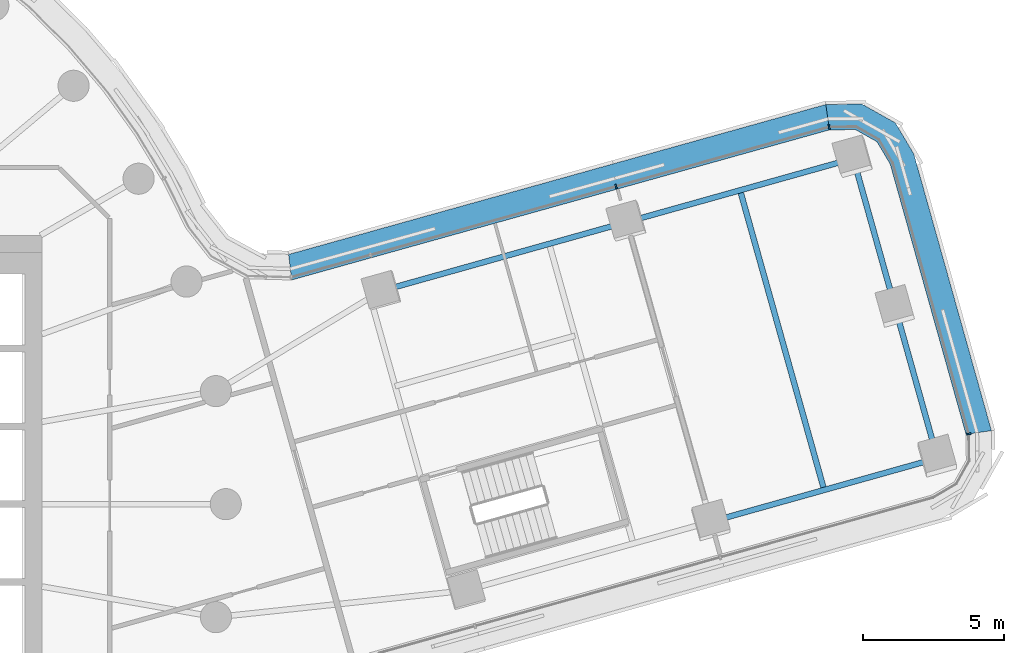
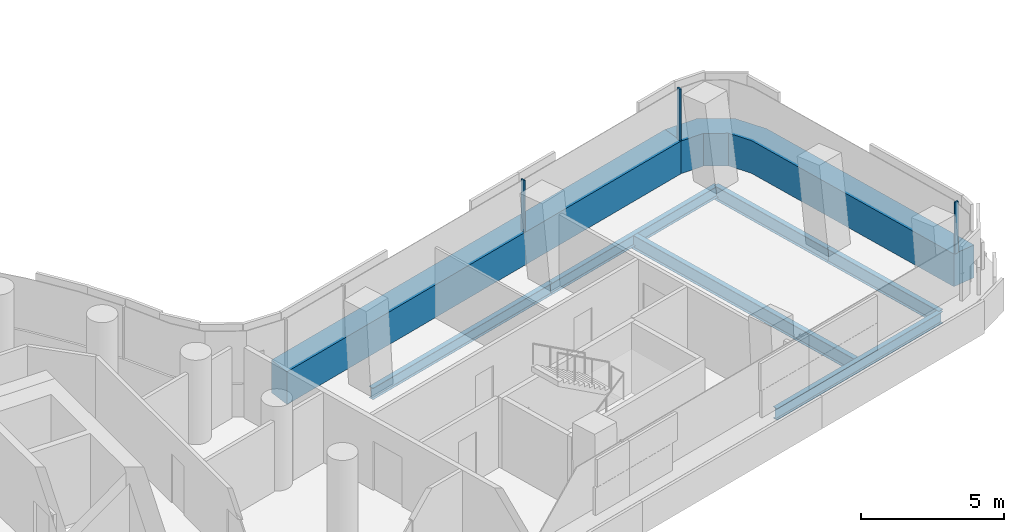
# One storey, part 12 of 30: 6 beams, 5 members, 2 elements without a shape of their own.
"""IFC4 building model written with IfcOpenShell, lengths in metres."""

from ifc_helpers import new_model, si_unit, direction, frame, origin, origin_2d, place, context, subcontext, project, spatial, polyline, rectangle, i_section, outline, extrude, material, layer, layer_set, material_profile, profile_set, type_object, element, aggregate, save


model = new_model("IFC4")

# Units and contexts
model_context = context("Model", 3, precision=1e-05, world=origin(), true_north=direction((0.0, 1.0)))
body_context = subcontext(model_context, "Body", "Model", "MODEL_VIEW")
ifc_project = project(units=[si_unit("LENGTHUNIT", "METRE"), si_unit("AREAUNIT", "SQUARE_METRE"), si_unit("VOLUMEUNIT", "CUBIC_METRE"), si_unit("PLANEANGLEUNIT", "RADIAN"), si_unit("MASSUNIT", "GRAM", prefix="KILO")], contexts=[model_context])

# Site, building, storey
site_placement = place(None, origin())
site = spatial("IfcSite", under=ifc_project, at=site_placement, CompositionType="ELEMENT")
building_placement = place(site_placement, origin())
building = spatial("IfcBuilding", under=site, at=building_placement, Name="Tamarind Cross Interchange Tower", CompositionType="ELEMENT")
storey_placement = place(building_placement, frame((0.0, 0.0, 91.0)))
storey = spatial("IfcBuildingStorey", under=building, at=storey_placement, Name="L21", CompositionType="ELEMENT", Elevation=91.0)

# Beams
ifc_material_1 = material(Name="Steel Q355B", Category="steel")
ifc_material_profile_1 = material_profile(ifc_material_1, i_section(OverallWidth=0.198974609375, OverallDepth=0.49609375, WebThickness=0.009033203125, FlangeThickness=0.013916015625, FilletRadius=0.012939453125, at=origin_2d()), Name="HN 496x199x9x14")
ifc_profile_set_1 = profile_set([ifc_material_profile_1], Name="Steel Q355B")
beam_type_1 = type_object("IfcBeamType", Name="Composite beam HN 496x199x9x14 Q355B", PredefinedType="BEAM", material=ifc_profile_set_1)
for number, where, z_axis, x_axis, name in (
    (1, (48.147216796875, 1.62353515625, -0.387939453125), (-0.962821761658, -0.270137474776, 0.0), (0.270137474776, -0.962821761658, 0.0), "Beam E-edgeem5"),
    (2, (45.17578125, 12.214599609375, -0.387939453125), (-0.962821761658, -0.270137474776, 0.0), (0.270137474776, -0.962821761658, 0.0), "Beam E-edgeep2"),
):
    element("IfcBeam", number, at=place(storey_placement, frame(where, z_axis=z_axis, x_axis=x_axis)), inside=storey, type_object=beam_type_1, Name=name, PredefinedType="BEAM", context=body_context, shape_type="SweptSolid", body=[
        extrude(i_section(OverallWidth=0.198974609375, OverallDepth=0.49609375, WebThickness=0.009033203125, FlangeThickness=0.013916015625, FilletRadius=0.012939453125, at=origin_2d()), origin(), (0.0, 0.0, 1.0), 8.313720703125),
    ])
beam_1_placement = place(storey_placement, frame((37.171142578125, 9.96875, -0.387939453125), z_axis=(-0.96282528208, -0.270124927, 0.0), x_axis=(0.270124927, -0.96282528208, 0.0)))
element("IfcBeam", 3, at=beam_1_placement, inside=storey, type_object=beam_type_1, Name="Beam E-edgeep3", PredefinedType="BEAM", context=body_context, shape_type="SweptSolid", body=[
    extrude(i_section(OverallWidth=0.198974609375, OverallDepth=0.49609375, WebThickness=0.009033203125, FlangeThickness=0.013916015625, FilletRadius=0.012939453125, at=origin_2d()), origin(), (0.0, 0.0, 1.0), 9.0),
])
ifc_material_profile_2 = material_profile(ifc_material_1, i_section(OverallWidth=0.199951171875, OverallDepth=0.60009765625, WebThickness=0.010986328125, FlangeThickness=0.01708984375, FilletRadius=0.012939453125, at=origin_2d()), Name="HN 600x200x11x17")
ifc_profile_set_2 = profile_set([ifc_material_profile_2], Name="Steel Q355B")
beam_type_2 = type_object("IfcBeamType", Name="Composite beam HN 600x200x11x17 Q355B", PredefinedType="BEAM", material=ifc_profile_set_2)
for number, where, z_axis, x_axis, name in (
    (4, (48.147216796875, 1.62353515625, -0.43994140625), (-0.270156767928, 0.962816348398, 0.0), (-0.962816348398, -0.270156767928, 0.0), "Beam E-tip0"),
    (5, (46.661376953125, 6.9189453125, -0.43994140625), (-0.270104072741, 0.962831132592, 0.0), (-0.962831132592, -0.270104072741, 0.0), "Beam E-tip1"),
):
    element("IfcBeam", number, at=place(storey_placement, frame(where, z_axis=z_axis, x_axis=x_axis)), inside=storey, type_object=beam_type_2, Name=name, PredefinedType="BEAM", context=body_context, shape_type="SweptSolid", body=[
        extrude(i_section(OverallWidth=0.199951171875, OverallDepth=0.60009765625, WebThickness=0.010986328125, FlangeThickness=0.01708984375, FilletRadius=0.012939453125, at=origin_2d()), origin(), (0.0, 0.0, 1.0), 5.5),
    ])
beam_2_placement = place(storey_placement, frame((44.144775390625, 0.50048828125, -0.43994140625), z_axis=(-0.27013042003, 0.962823740969, 0.0), x_axis=(-0.962823740969, -0.27013042003, 0.0)))
element("IfcBeam", 6, at=beam_2_placement, inside=storey, type_object=beam_type_2, Name="Beam E-x435", PredefinedType="BEAM", context=body_context, shape_type="SweptSolid", body=[
    extrude(i_section(OverallWidth=0.199951171875, OverallDepth=0.60009765625, WebThickness=0.010986328125, FlangeThickness=0.01708984375, FilletRadius=0.012939453125, at=origin_2d()), origin(), (0.0, 0.0, 1.0), 11.0),
])

# Curtain wall, member
ifc_material_2 = material(Name="Aluminium 6063-T6", Category="aluminium")
ifc_layer = layer(ifc_material_2, 0.159912109375)
ifc_layer_set = layer_set([ifc_layer], Name="Aluminium 6063-T6")
curtain_wall_type = type_object("IfcCurtainWallType", Name="Office curtain wall, 9.0 m bays", PredefinedType="NOTDEFINED", material=ifc_layer_set)
curtain_wall_1_placement = place(storey_placement, origin())
curtain_wall_1 = element("IfcCurtainWall", 7, at=curtain_wall_1_placement, inside=storey, type_object=curtain_wall_type, Name="CWS-L21-04", PredefinedType="NOTDEFINED")
ifc_material_3 = material(Name="Aluminium and insulated spandrel panel", Category="aluminium")
member_type_1 = type_object("IfcMemberType", Name="Floor-edge blade transom", PredefinedType="USERDEFINED", material=ifc_material_3)
member_1_placement = place(storey_placement, origin())
member_1 = element("IfcMember", 8, at=member_1_placement, type_object=member_type_1, Name="CWT-L21-04", ObjectType="TRANSOM", PredefinedType="USERDEFINED", context=body_context, shape_type="SweptSolid", body=[
    extrude(outline(polyline([(49.15673828125, 2.467041015625), (46.476806640625, 12.019287109375), (46.009765625, 12.806640625), (45.24755859375, 13.23486328125), (44.33203125, 13.22412109375), (44.20361328125, 14.122802734375), (45.47802734375, 14.1376953125), (46.660888671875, 13.47314453125), (47.311279296875, 12.37646484375), (50.055419921875, 2.59619140625), (49.15673828125, 2.467041015625)])), origin(), (0.0, 0.0, 1.0), 1.39990234375),
])

curtain_wall_2_placement = place(storey_placement, origin())
curtain_wall_2 = element("IfcCurtainWall", 9, at=curtain_wall_2_placement, inside=storey, type_object=curtain_wall_type, Name="CWS-L21-05", PredefinedType="NOTDEFINED")
member_2_placement = place(storey_placement, origin())
member_2 = element("IfcMember", 10, at=member_2_placement, type_object=member_type_1, Name="CWT-L21-05", ObjectType="TRANSOM", PredefinedType="USERDEFINED", context=body_context, shape_type="SweptSolid", body=[
    extrude(outline(polyline([(44.33203125, 13.22412109375), (25.32861328125, 7.920166015625), (25.218017578125, 8.82373046875), (44.20361328125, 14.122802734375), (44.33203125, 13.22412109375)])), origin(), (0.0, 0.0, 1.0), 1.39990234375),
])

# Member
ifc_material_profile_3 = material_profile(ifc_material_2, rectangle(XDim=0.06005859375, YDim=0.159912109375, at=origin_2d()), Name="Mullion CW1")
ifc_profile_set_3 = profile_set([ifc_material_profile_3], Name="Aluminium 6063-T6")
member_type_2 = type_object("IfcMemberType", Name="Mullion CW1", PredefinedType="MULLION", material=ifc_profile_set_3)
member_3_placement = place(storey_placement, frame((49.256591796875, 2.4814453125, 1.39990234375), z_axis=(0.0, 0.0, 1.0), x_axis=(-0.142145220779, 0.989845814362, 0.0)))
member_3 = element("IfcMember", 11, at=member_3_placement, type_object=member_type_2, Name="CWM-L21-04-00", PredefinedType="MULLION", context=body_context, shape_type="SweptSolid", body=[
    extrude(rectangle(XDim=0.06005859375, YDim=0.159912109375, at=origin_2d()), origin(), (0.0, 0.0, 1.0), 2.210205078125),
])

aggregate(curtain_wall_1, [member_3, member_1])

member_4_placement = place(storey_placement, frame((44.317626953125, 13.323974609375, 1.39990234375), z_axis=(0.0, 0.0, 1.0), x_axis=(-0.989941479785, -0.141477442021, 0.0)))
member_4 = element("IfcMember", 12, at=member_4_placement, type_object=member_type_2, Name="CWM-L21-05-00", PredefinedType="MULLION", context=body_context, shape_type="SweptSolid", body=[
    extrude(rectangle(XDim=0.06005859375, YDim=0.159912109375, at=origin_2d()), origin(), (0.0, 0.0, 1.0), 2.210205078125),
])

member_5_placement = place(storey_placement, frame((36.7900390625, 11.22314453125, 1.39990234375), z_axis=(0.0, 0.0, 1.0), x_axis=(-0.963187452767, -0.26883067316, 0.0)))
member_5 = element("IfcMember", 13, at=member_5_placement, type_object=member_type_2, Name="CWM-L21-05-01", PredefinedType="MULLION", context=body_context, shape_type="SweptSolid", body=[
    extrude(rectangle(XDim=0.06005859375, YDim=0.159912109375, at=origin_2d()), origin(), (0.0, 0.0, 1.0), 2.210205078125),
])

aggregate(curtain_wall_2, [member_4, member_5, member_2])

save(model, "model.ifc")
